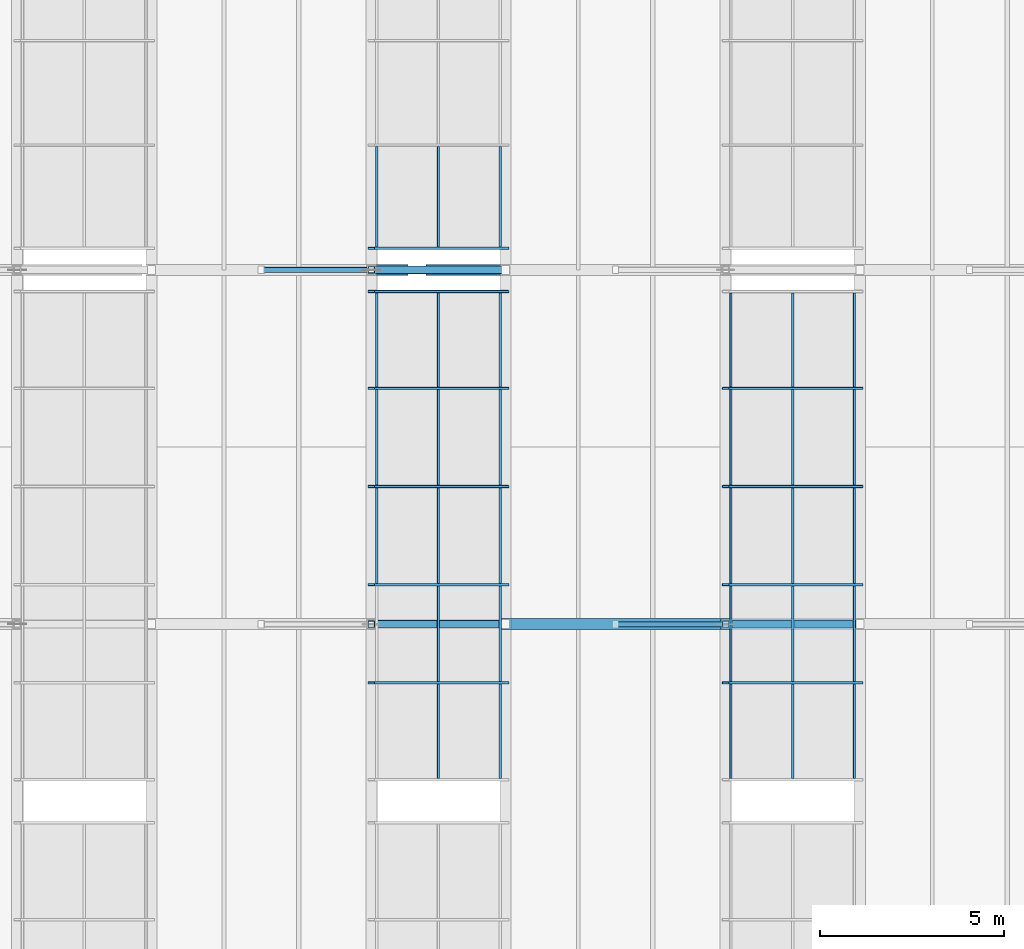
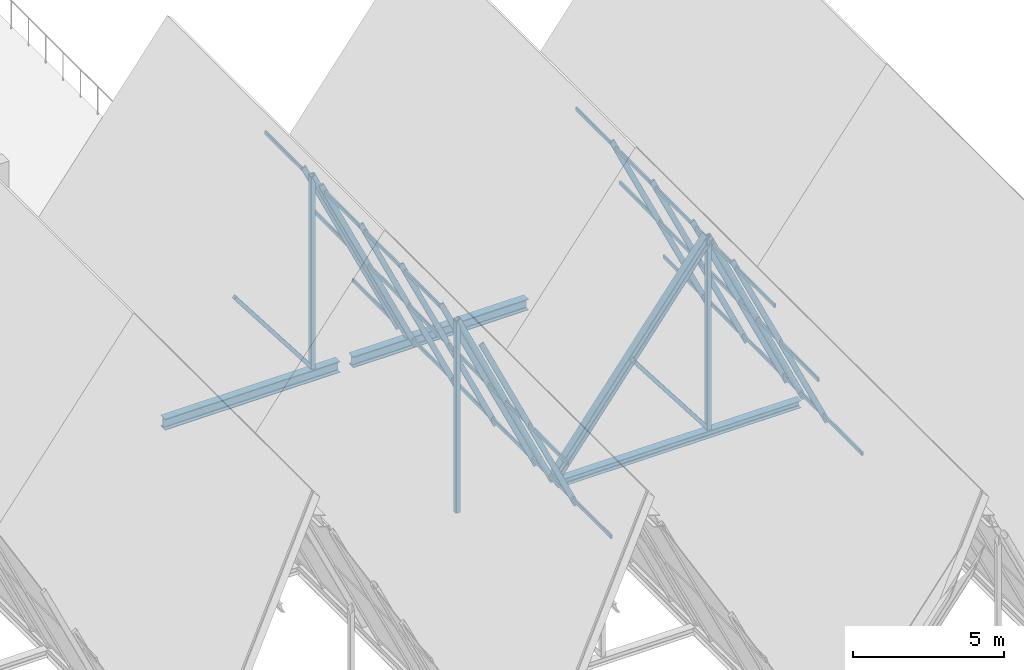
# One storey, part 22 of 99: 51 members, 2 beams, 3 elements without a shape of their own.
"""IFC4 building model written with IfcOpenShell, lengths in metres."""

from ifc_helpers import new_model, si_unit, direction, frame, origin, origin_2d, place, context, subcontext, project, spatial, hollow_rectangle, hollow_circle, i_section, extrude, material, material_profile, profile_set, type_object, element, aggregate, save


model = new_model("IFC4")

# Units and contexts
model_context = context("Model", 3, precision=1e-05, world=origin(), true_north=direction((0.0, 1.0)))
body_context = subcontext(model_context, "Body", "Model", "MODEL_VIEW")
ifc_project = project(units=[si_unit("LENGTHUNIT", "METRE"), si_unit("AREAUNIT", "SQUARE_METRE"), si_unit("VOLUMEUNIT", "CUBIC_METRE"), si_unit("PLANEANGLEUNIT", "RADIAN"), si_unit("MASSUNIT", "GRAM", prefix="KILO")], contexts=[model_context])

# Site, building, storey
site_placement = place(None, origin())
site = spatial("IfcSite", under=ifc_project, at=site_placement, CompositionType="ELEMENT")
building_placement = place(site_placement, origin())
building = spatial("IfcBuilding", under=site, at=building_placement, Name="Bramveld Media Centre", CompositionType="ELEMENT")
storey_placement = place(building_placement, frame((0.0, 0.0, 13.800048828125)))
storey = spatial("IfcBuildingStorey", under=building, at=storey_placement, Name="L03", CompositionType="ELEMENT", Elevation=13.800048828125)

# Curtain wall, members
ifc_material_1 = material(Name="Thermally broken anodized bronze aluminium unitized curtain wall with solar-control triple glazing", Category="aluminium")
curtain_wall_type_1 = type_object("IfcCurtainWallType", Name="CW-SAW-13300x8606", PredefinedType="NOTDEFINED", material=ifc_material_1)
curtain_wall_1_placement = place(storey_placement, origin())
curtain_wall_1 = element("IfcCurtainWall", 1, at=curtain_wall_1_placement, inside=storey, type_object=curtain_wall_type_1, Name="V2 sawtooth north-light clerestory B4-S2", PredefinedType="NOTDEFINED")
ifc_material_2 = material(Name="Thermally broken anodized bronze aluminium EN AW-6063 T6 curtain-wall framing", Category="aluminium")
ifc_material_profile_1 = material_profile(ifc_material_2, hollow_rectangle(XDim=0.070068359375, YDim=0.199951171875, WallThickness=0.00439453125, InnerFilletRadius=0.00439453125, OuterFilletRadius=0.009033203125, at=origin_2d()), Name="AL-MULL 70x200")
ifc_profile_set_1 = profile_set([ifc_material_profile_1], Name="Thermally broken anodized bronze aluminium EN AW-6063 T6 curtain-wall framing")
member_type_1 = type_object("IfcMemberType", Name="CW-MULL-SLP", PredefinedType="MULLION", material=ifc_profile_set_1)
member_1_placement = place(storey_placement, frame((38.39990234375, 17.610107421875, -0.02001953125), z_axis=(-0.423956992265, 0.0, 0.90568232218), x_axis=(0.0, -1.0, 0.0)))
member_1 = element("IfcMember", 2, at=member_1_placement, type_object=member_type_1, Name="CW-SA-13386 sloped mullion 2", PredefinedType="MULLION", context=body_context, shape_type="SweptSolid", body=[
    extrude(hollow_rectangle(XDim=0.070068359375, YDim=0.199951171875, WallThickness=0.00439453125, InnerFilletRadius=0.00439453125, OuterFilletRadius=0.009033203125, at=origin_2d()), origin(), (0.0, 0.0, 1.0), 8.5791015625),
])
member_2_placement = place(storey_placement, frame((38.39990234375, 20.27001953125, -0.02001953125), z_axis=(-0.423956992265, 0.0, 0.90568232218), x_axis=(0.0, -1.0, 0.0)))
member_2 = element("IfcMember", 3, at=member_2_placement, type_object=member_type_1, Name="CW-SA-13386 sloped mullion 3", PredefinedType="MULLION", context=body_context, shape_type="SweptSolid", body=[
    extrude(hollow_rectangle(XDim=0.070068359375, YDim=0.199951171875, WallThickness=0.00439453125, InnerFilletRadius=0.00439453125, OuterFilletRadius=0.009033203125, at=origin_2d()), origin(), (0.0, 0.0, 1.0), 8.5791015625),
])
member_3_placement = place(storey_placement, frame((38.39990234375, 22.929931640625, -0.02001953125), z_axis=(-0.423956992265, 0.0, 0.90568232218), x_axis=(0.0, -1.0, 0.0)))
member_3 = element("IfcMember", 4, at=member_3_placement, type_object=member_type_1, Name="CW-SA-13386 sloped mullion 4", PredefinedType="MULLION", context=body_context, shape_type="SweptSolid", body=[
    extrude(hollow_rectangle(XDim=0.070068359375, YDim=0.199951171875, WallThickness=0.00439453125, InnerFilletRadius=0.00439453125, OuterFilletRadius=0.009033203125, at=origin_2d()), origin(), (0.0, 0.0, 1.0), 8.5791015625),
])
member_4_placement = place(storey_placement, frame((38.39990234375, 25.590087890625, -0.02001953125), z_axis=(-0.423956992265, 0.0, 0.90568232218), x_axis=(0.0, -1.0, 0.0)))
member_4 = element("IfcMember", 5, at=member_4_placement, type_object=member_type_1, Name="CW-SA-13386 sloped mullion 5", PredefinedType="MULLION", context=body_context, shape_type="SweptSolid", body=[
    extrude(hollow_rectangle(XDim=0.070068359375, YDim=0.199951171875, WallThickness=0.00439453125, InnerFilletRadius=0.00439453125, OuterFilletRadius=0.009033203125, at=origin_2d()), origin(), (0.0, 0.0, 1.0), 8.5791015625),
])
member_5_placement = place(storey_placement, frame((38.39990234375, 28.215087890625, -0.02001953125), z_axis=(-0.423956992265, 0.0, 0.90568232218), x_axis=(0.0, -1.0, 0.0)))
member_5 = element("IfcMember", 6, at=member_5_placement, type_object=member_type_1, Name="CW-SA-13386 sloped mullion 6", PredefinedType="MULLION", context=body_context, shape_type="SweptSolid", body=[
    extrude(hollow_rectangle(XDim=0.070068359375, YDim=0.199951171875, WallThickness=0.00439453125, InnerFilletRadius=0.00439453125, OuterFilletRadius=0.009033203125, at=origin_2d()), origin(), (0.0, 0.0, 1.0), 8.5791015625),
])

# Curtain wall, member
ifc_material_3 = material(Name="Thermally broken anodized bronze aluminium unitized curtain wall with solar-control triple glazing", Category="aluminium")
curtain_wall_type_2 = type_object("IfcCurtainWallType", Name="CW-SAW-8500x8606", PredefinedType="NOTDEFINED", material=ifc_material_3)
curtain_wall_2_placement = place(storey_placement, origin())
curtain_wall_2 = element("IfcCurtainWall", 7, at=curtain_wall_2_placement, inside=storey, type_object=curtain_wall_type_2, Name="V2 sawtooth north-light clerestory B4-S3", PredefinedType="NOTDEFINED")
member_6_placement = place(storey_placement, frame((38.39990234375, 29.385009765625, -0.02001953125), z_axis=(-0.423956992265, 0.0, 0.90568232218), x_axis=(0.0, -1.0, 0.0)))
member_6 = element("IfcMember", 8, at=member_6_placement, type_object=member_type_1, Name="CW-SA-8586 sloped mullion 1", PredefinedType="MULLION", context=body_context, shape_type="SweptSolid", body=[
    extrude(hollow_rectangle(XDim=0.070068359375, YDim=0.199951171875, WallThickness=0.00439453125, InnerFilletRadius=0.00439453125, OuterFilletRadius=0.009033203125, at=origin_2d()), origin(), (0.0, 0.0, 1.0), 8.5791015625),
])

# Curtain wall, members
curtain_wall_3_placement = place(storey_placement, origin())
curtain_wall_3 = element("IfcCurtainWall", 9, at=curtain_wall_3_placement, inside=storey, type_object=curtain_wall_type_1, Name="V2 sawtooth north-light clerestory B5-S2", PredefinedType="NOTDEFINED")
member_7_placement = place(storey_placement, frame((48.0, 17.610107421875, -0.02001953125), z_axis=(-0.423956992265, 0.0, 0.90568232218), x_axis=(0.0, -1.0, 0.0)))
member_7 = element("IfcMember", 10, at=member_7_placement, type_object=member_type_1, Name="CW-SA-13386 sloped mullion 2", PredefinedType="MULLION", context=body_context, shape_type="SweptSolid", body=[
    extrude(hollow_rectangle(XDim=0.070068359375, YDim=0.199951171875, WallThickness=0.00439453125, InnerFilletRadius=0.00439453125, OuterFilletRadius=0.009033203125, at=origin_2d()), origin(), (0.0, 0.0, 1.0), 8.5791015625),
])
member_8_placement = place(storey_placement, frame((48.0, 20.27001953125, -0.02001953125), z_axis=(-0.423956992265, 0.0, 0.90568232218), x_axis=(0.0, -1.0, 0.0)))
member_8 = element("IfcMember", 11, at=member_8_placement, type_object=member_type_1, Name="CW-SA-13386 sloped mullion 3", PredefinedType="MULLION", context=body_context, shape_type="SweptSolid", body=[
    extrude(hollow_rectangle(XDim=0.070068359375, YDim=0.199951171875, WallThickness=0.00439453125, InnerFilletRadius=0.00439453125, OuterFilletRadius=0.009033203125, at=origin_2d()), origin(), (0.0, 0.0, 1.0), 8.5791015625),
])
member_9_placement = place(storey_placement, frame((48.0, 22.929931640625, -0.02001953125), z_axis=(-0.423956992265, 0.0, 0.90568232218), x_axis=(0.0, -1.0, 0.0)))
member_9 = element("IfcMember", 12, at=member_9_placement, type_object=member_type_1, Name="CW-SA-13386 sloped mullion 4", PredefinedType="MULLION", context=body_context, shape_type="SweptSolid", body=[
    extrude(hollow_rectangle(XDim=0.070068359375, YDim=0.199951171875, WallThickness=0.00439453125, InnerFilletRadius=0.00439453125, OuterFilletRadius=0.009033203125, at=origin_2d()), origin(), (0.0, 0.0, 1.0), 8.5791015625),
])
member_10_placement = place(storey_placement, frame((48.0, 25.590087890625, -0.02001953125), z_axis=(-0.423956992265, 0.0, 0.90568232218), x_axis=(0.0, -1.0, 0.0)))
member_10 = element("IfcMember", 13, at=member_10_placement, type_object=member_type_1, Name="CW-SA-13386 sloped mullion 5", PredefinedType="MULLION", context=body_context, shape_type="SweptSolid", body=[
    extrude(hollow_rectangle(XDim=0.070068359375, YDim=0.199951171875, WallThickness=0.00439453125, InnerFilletRadius=0.00439453125, OuterFilletRadius=0.009033203125, at=origin_2d()), origin(), (0.0, 0.0, 1.0), 8.5791015625),
])

# Member
ifc_material_4 = material(Name="Thermally broken anodized bronze aluminium EN AW-6063 T6 curtain-wall framing", Category="aluminium")
ifc_material_profile_2 = material_profile(ifc_material_4, hollow_rectangle(XDim=0.070068359375, YDim=0.14990234375, WallThickness=0.00390625, InnerFilletRadius=0.00390625, OuterFilletRadius=0.008056640625, at=origin_2d()), Name="AL-TRAN 70x150")
ifc_profile_set_2 = profile_set([ifc_material_profile_2], Name="Thermally broken anodized bronze aluminium EN AW-6063 T6 curtain-wall framing")
member_type_2 = type_object("IfcMemberType", Name="CW-TRAN-SLP", PredefinedType="USERDEFINED", material=ifc_profile_set_2)
member_11_placement = place(storey_placement, frame((38.25439453125, 15.02001953125, 0.290771484375), z_axis=(0.0, 1.0, 0.0), x_axis=(-1.0, 0.0, 0.0)))
member_11 = element("IfcMember", 14, at=member_11_placement, type_object=member_type_2, Name="CW-SA-13386 transom 1.1", ObjectType="TRANSOM", PredefinedType="USERDEFINED", context=body_context, shape_type="SweptSolid", body=[
    extrude(hollow_rectangle(XDim=0.070068359375, YDim=0.14990234375, WallThickness=0.00390625, InnerFilletRadius=0.00390625, OuterFilletRadius=0.008056640625, at=origin_2d()), origin(), (0.0, 0.0, 1.0), 2.554931640625),
])

member_12_placement = place(storey_placement, frame((36.581298828125, 15.02001953125, 3.864990234375), z_axis=(0.0, 1.0, 0.0), x_axis=(-1.0, 0.0, 0.0)))
member_12 = element("IfcMember", 15, at=member_12_placement, type_object=member_type_2, Name="CW-SA-13386 transom 1.2", ObjectType="TRANSOM", PredefinedType="USERDEFINED", context=body_context, shape_type="SweptSolid", body=[
    extrude(hollow_rectangle(XDim=0.070068359375, YDim=0.14990234375, WallThickness=0.00390625, InnerFilletRadius=0.00390625, OuterFilletRadius=0.008056640625, at=origin_2d()), origin(), (0.0, 0.0, 1.0), 2.554931640625),
])

member_13_placement = place(storey_placement, frame((38.25439453125, 17.64501953125, 0.290771484375), z_axis=(0.0, 1.0, 0.0), x_axis=(-1.0, 0.0, 0.0)))
member_13 = element("IfcMember", 16, at=member_13_placement, type_object=member_type_2, Name="CW-SA-13386 transom 2.1", ObjectType="TRANSOM", PredefinedType="USERDEFINED", context=body_context, shape_type="SweptSolid", body=[
    extrude(hollow_rectangle(XDim=0.070068359375, YDim=0.14990234375, WallThickness=0.00390625, InnerFilletRadius=0.00390625, OuterFilletRadius=0.008056640625, at=origin_2d()), origin(), (0.0, 0.0, 1.0), 2.590087890625),
])

member_14_placement = place(storey_placement, frame((36.581298828125, 17.64501953125, 3.864990234375), z_axis=(0.0, 1.0, 0.0), x_axis=(-1.0, 0.0, 0.0)))
member_14 = element("IfcMember", 17, at=member_14_placement, type_object=member_type_2, Name="CW-SA-13386 transom 2.2", ObjectType="TRANSOM", PredefinedType="USERDEFINED", context=body_context, shape_type="SweptSolid", body=[
    extrude(hollow_rectangle(XDim=0.070068359375, YDim=0.14990234375, WallThickness=0.00390625, InnerFilletRadius=0.00390625, OuterFilletRadius=0.008056640625, at=origin_2d()), origin(), (0.0, 0.0, 1.0), 2.590087890625),
])

member_15_placement = place(storey_placement, frame((38.25439453125, 20.304931640625, 0.290771484375), z_axis=(0.0, 1.0, 0.0), x_axis=(-1.0, 0.0, 0.0)))
member_15 = element("IfcMember", 18, at=member_15_placement, type_object=member_type_2, Name="CW-SA-13386 transom 3.1", ObjectType="TRANSOM", PredefinedType="USERDEFINED", context=body_context, shape_type="SweptSolid", body=[
    extrude(hollow_rectangle(XDim=0.070068359375, YDim=0.14990234375, WallThickness=0.00390625, InnerFilletRadius=0.00390625, OuterFilletRadius=0.008056640625, at=origin_2d()), origin(), (0.0, 0.0, 1.0), 2.590087890625),
])

member_16_placement = place(storey_placement, frame((36.581298828125, 20.304931640625, 3.864990234375), z_axis=(0.0, 1.0, 0.0), x_axis=(-1.0, 0.0, 0.0)))
member_16 = element("IfcMember", 19, at=member_16_placement, type_object=member_type_2, Name="CW-SA-13386 transom 3.2", ObjectType="TRANSOM", PredefinedType="USERDEFINED", context=body_context, shape_type="SweptSolid", body=[
    extrude(hollow_rectangle(XDim=0.070068359375, YDim=0.14990234375, WallThickness=0.00390625, InnerFilletRadius=0.00390625, OuterFilletRadius=0.008056640625, at=origin_2d()), origin(), (0.0, 0.0, 1.0), 2.590087890625),
])

member_17_placement = place(storey_placement, frame((34.908203125, 20.304931640625, 7.439208984375), z_axis=(0.0, 1.0, 0.0), x_axis=(-1.0, 0.0, 0.0)))
member_17 = element("IfcMember", 20, at=member_17_placement, type_object=member_type_2, Name="CW-SA-13386 transom 3.3", ObjectType="TRANSOM", PredefinedType="USERDEFINED", context=body_context, shape_type="SweptSolid", body=[
    extrude(hollow_rectangle(XDim=0.070068359375, YDim=0.14990234375, WallThickness=0.00390625, InnerFilletRadius=0.00390625, OuterFilletRadius=0.008056640625, at=origin_2d()), origin(), (0.0, 0.0, 1.0), 2.590087890625),
])

member_18_placement = place(storey_placement, frame((38.25439453125, 22.965087890625, 0.290771484375), z_axis=(0.0, 1.0, 0.0), x_axis=(-1.0, 0.0, 0.0)))
member_18 = element("IfcMember", 21, at=member_18_placement, type_object=member_type_2, Name="CW-SA-13386 transom 4.1", ObjectType="TRANSOM", PredefinedType="USERDEFINED", context=body_context, shape_type="SweptSolid", body=[
    extrude(hollow_rectangle(XDim=0.070068359375, YDim=0.14990234375, WallThickness=0.00390625, InnerFilletRadius=0.00390625, OuterFilletRadius=0.008056640625, at=origin_2d()), origin(), (0.0, 0.0, 1.0), 2.58984375),
])

member_19_placement = place(storey_placement, frame((36.581298828125, 22.965087890625, 3.864990234375), z_axis=(0.0, 1.0, 0.0), x_axis=(-1.0, 0.0, 0.0)))
member_19 = element("IfcMember", 22, at=member_19_placement, type_object=member_type_2, Name="CW-SA-13386 transom 4.2", ObjectType="TRANSOM", PredefinedType="USERDEFINED", context=body_context, shape_type="SweptSolid", body=[
    extrude(hollow_rectangle(XDim=0.070068359375, YDim=0.14990234375, WallThickness=0.00390625, InnerFilletRadius=0.00390625, OuterFilletRadius=0.008056640625, at=origin_2d()), origin(), (0.0, 0.0, 1.0), 2.58984375),
])

member_20_placement = place(storey_placement, frame((34.908203125, 22.965087890625, 7.439208984375), z_axis=(0.0, 1.0, 0.0), x_axis=(-1.0, 0.0, 0.0)))
member_20 = element("IfcMember", 23, at=member_20_placement, type_object=member_type_2, Name="CW-SA-13386 transom 4.3", ObjectType="TRANSOM", PredefinedType="USERDEFINED", context=body_context, shape_type="SweptSolid", body=[
    extrude(hollow_rectangle(XDim=0.070068359375, YDim=0.14990234375, WallThickness=0.00390625, InnerFilletRadius=0.00390625, OuterFilletRadius=0.008056640625, at=origin_2d()), origin(), (0.0, 0.0, 1.0), 2.58984375),
])

member_21_placement = place(storey_placement, frame((38.25439453125, 25.625, 0.290771484375), z_axis=(0.0, 1.0, 0.0), x_axis=(-1.0, 0.0, 0.0)))
member_21 = element("IfcMember", 24, at=member_21_placement, type_object=member_type_2, Name="CW-SA-13386 transom 5.1", ObjectType="TRANSOM", PredefinedType="USERDEFINED", context=body_context, shape_type="SweptSolid", body=[
    extrude(hollow_rectangle(XDim=0.070068359375, YDim=0.14990234375, WallThickness=0.00390625, InnerFilletRadius=0.00390625, OuterFilletRadius=0.008056640625, at=origin_2d()), origin(), (0.0, 0.0, 1.0), 2.554931640625),
])

member_22_placement = place(storey_placement, frame((36.581298828125, 25.625, 3.864990234375), z_axis=(0.0, 1.0, 0.0), x_axis=(-1.0, 0.0, 0.0)))
member_22 = element("IfcMember", 25, at=member_22_placement, type_object=member_type_2, Name="CW-SA-13386 transom 5.2", ObjectType="TRANSOM", PredefinedType="USERDEFINED", context=body_context, shape_type="SweptSolid", body=[
    extrude(hollow_rectangle(XDim=0.070068359375, YDim=0.14990234375, WallThickness=0.00390625, InnerFilletRadius=0.00390625, OuterFilletRadius=0.008056640625, at=origin_2d()), origin(), (0.0, 0.0, 1.0), 2.554931640625),
])

member_23_placement = place(storey_placement, frame((34.908203125, 25.625, 7.439208984375), z_axis=(0.0, 1.0, 0.0), x_axis=(-1.0, 0.0, 0.0)))
member_23 = element("IfcMember", 26, at=member_23_placement, type_object=member_type_2, Name="CW-SA-13386 transom 5.3", ObjectType="TRANSOM", PredefinedType="USERDEFINED", context=body_context, shape_type="SweptSolid", body=[
    extrude(hollow_rectangle(XDim=0.070068359375, YDim=0.14990234375, WallThickness=0.00390625, InnerFilletRadius=0.00390625, OuterFilletRadius=0.008056640625, at=origin_2d()), origin(), (0.0, 0.0, 1.0), 2.554931640625),
])

aggregate(curtain_wall_1, [member_1, member_2, member_3, member_4, member_5, member_11, member_12, member_13, member_14, member_15, member_16, member_17, member_18, member_19, member_20, member_21, member_22, member_23])

member_24_placement = place(storey_placement, frame((38.25439453125, 29.419921875, 0.290771484375), z_axis=(0.0, 1.0, 0.0), x_axis=(-1.0, 0.0, 0.0)))
member_24 = element("IfcMember", 27, at=member_24_placement, type_object=member_type_2, Name="CW-SA-8586 transom 1.1", ObjectType="TRANSOM", PredefinedType="USERDEFINED", context=body_context, shape_type="SweptSolid", body=[
    extrude(hollow_rectangle(XDim=0.070068359375, YDim=0.14990234375, WallThickness=0.00390625, InnerFilletRadius=0.00390625, OuterFilletRadius=0.008056640625, at=origin_2d()), origin(), (0.0, 0.0, 1.0), 2.728271484375),
])

member_25_placement = place(storey_placement, frame((36.581298828125, 29.419921875, 3.864990234375), z_axis=(0.0, 1.0, 0.0), x_axis=(-1.0, 0.0, 0.0)))
member_25 = element("IfcMember", 28, at=member_25_placement, type_object=member_type_2, Name="CW-SA-8586 transom 1.2", ObjectType="TRANSOM", PredefinedType="USERDEFINED", context=body_context, shape_type="SweptSolid", body=[
    extrude(hollow_rectangle(XDim=0.070068359375, YDim=0.14990234375, WallThickness=0.00390625, InnerFilletRadius=0.00390625, OuterFilletRadius=0.008056640625, at=origin_2d()), origin(), (0.0, 0.0, 1.0), 2.728271484375),
])

member_26_placement = place(storey_placement, frame((34.908203125, 29.419921875, 7.439208984375), z_axis=(0.0, 1.0, 0.0), x_axis=(-1.0, 0.0, 0.0)))
member_26 = element("IfcMember", 29, at=member_26_placement, type_object=member_type_2, Name="CW-SA-8586 transom 1.3", ObjectType="TRANSOM", PredefinedType="USERDEFINED", context=body_context, shape_type="SweptSolid", body=[
    extrude(hollow_rectangle(XDim=0.070068359375, YDim=0.14990234375, WallThickness=0.00390625, InnerFilletRadius=0.00390625, OuterFilletRadius=0.008056640625, at=origin_2d()), origin(), (0.0, 0.0, 1.0), 2.728271484375),
])

aggregate(curtain_wall_2, [member_6, member_24, member_25, member_26])

member_27_placement = place(storey_placement, frame((47.8544921875, 15.02001953125, 0.290771484375), z_axis=(0.0, 1.0, 0.0), x_axis=(-1.0, 0.0, 0.0)))
member_27 = element("IfcMember", 30, at=member_27_placement, type_object=member_type_2, Name="CW-SA-13386 transom 1.1", ObjectType="TRANSOM", PredefinedType="USERDEFINED", context=body_context, shape_type="SweptSolid", body=[
    extrude(hollow_rectangle(XDim=0.070068359375, YDim=0.14990234375, WallThickness=0.00390625, InnerFilletRadius=0.00390625, OuterFilletRadius=0.008056640625, at=origin_2d()), origin(), (0.0, 0.0, 1.0), 2.554931640625),
])

member_28_placement = place(storey_placement, frame((46.181396484375, 15.02001953125, 3.864990234375), z_axis=(0.0, 1.0, 0.0), x_axis=(-1.0, 0.0, 0.0)))
member_28 = element("IfcMember", 31, at=member_28_placement, type_object=member_type_2, Name="CW-SA-13386 transom 1.2", ObjectType="TRANSOM", PredefinedType="USERDEFINED", context=body_context, shape_type="SweptSolid", body=[
    extrude(hollow_rectangle(XDim=0.070068359375, YDim=0.14990234375, WallThickness=0.00390625, InnerFilletRadius=0.00390625, OuterFilletRadius=0.008056640625, at=origin_2d()), origin(), (0.0, 0.0, 1.0), 2.554931640625),
])

member_29_placement = place(storey_placement, frame((44.50830078125, 15.02001953125, 7.439208984375), z_axis=(0.0, 1.0, 0.0), x_axis=(-1.0, 0.0, 0.0)))
member_29 = element("IfcMember", 32, at=member_29_placement, type_object=member_type_2, Name="CW-SA-13386 transom 1.3", ObjectType="TRANSOM", PredefinedType="USERDEFINED", context=body_context, shape_type="SweptSolid", body=[
    extrude(hollow_rectangle(XDim=0.070068359375, YDim=0.14990234375, WallThickness=0.00390625, InnerFilletRadius=0.00390625, OuterFilletRadius=0.008056640625, at=origin_2d()), origin(), (0.0, 0.0, 1.0), 2.554931640625),
])

member_30_placement = place(storey_placement, frame((47.8544921875, 17.64501953125, 0.290771484375), z_axis=(0.0, 1.0, 0.0), x_axis=(-1.0, 0.0, 0.0)))
member_30 = element("IfcMember", 33, at=member_30_placement, type_object=member_type_2, Name="CW-SA-13386 transom 2.1", ObjectType="TRANSOM", PredefinedType="USERDEFINED", context=body_context, shape_type="SweptSolid", body=[
    extrude(hollow_rectangle(XDim=0.070068359375, YDim=0.14990234375, WallThickness=0.00390625, InnerFilletRadius=0.00390625, OuterFilletRadius=0.008056640625, at=origin_2d()), origin(), (0.0, 0.0, 1.0), 2.590087890625),
])

member_31_placement = place(storey_placement, frame((46.181396484375, 17.64501953125, 3.864990234375), z_axis=(0.0, 1.0, 0.0), x_axis=(-1.0, 0.0, 0.0)))
member_31 = element("IfcMember", 34, at=member_31_placement, type_object=member_type_2, Name="CW-SA-13386 transom 2.2", ObjectType="TRANSOM", PredefinedType="USERDEFINED", context=body_context, shape_type="SweptSolid", body=[
    extrude(hollow_rectangle(XDim=0.070068359375, YDim=0.14990234375, WallThickness=0.00390625, InnerFilletRadius=0.00390625, OuterFilletRadius=0.008056640625, at=origin_2d()), origin(), (0.0, 0.0, 1.0), 2.590087890625),
])

member_32_placement = place(storey_placement, frame((44.50830078125, 17.64501953125, 7.439208984375), z_axis=(0.0, 1.0, 0.0), x_axis=(-1.0, 0.0, 0.0)))
member_32 = element("IfcMember", 35, at=member_32_placement, type_object=member_type_2, Name="CW-SA-13386 transom 2.3", ObjectType="TRANSOM", PredefinedType="USERDEFINED", context=body_context, shape_type="SweptSolid", body=[
    extrude(hollow_rectangle(XDim=0.070068359375, YDim=0.14990234375, WallThickness=0.00390625, InnerFilletRadius=0.00390625, OuterFilletRadius=0.008056640625, at=origin_2d()), origin(), (0.0, 0.0, 1.0), 2.590087890625),
])

member_33_placement = place(storey_placement, frame((47.8544921875, 20.304931640625, 0.290771484375), z_axis=(0.0, 1.0, 0.0), x_axis=(-1.0, 0.0, 0.0)))
member_33 = element("IfcMember", 36, at=member_33_placement, type_object=member_type_2, Name="CW-SA-13386 transom 3.1", ObjectType="TRANSOM", PredefinedType="USERDEFINED", context=body_context, shape_type="SweptSolid", body=[
    extrude(hollow_rectangle(XDim=0.070068359375, YDim=0.14990234375, WallThickness=0.00390625, InnerFilletRadius=0.00390625, OuterFilletRadius=0.008056640625, at=origin_2d()), origin(), (0.0, 0.0, 1.0), 2.590087890625),
])

member_34_placement = place(storey_placement, frame((46.181396484375, 20.304931640625, 3.864990234375), z_axis=(0.0, 1.0, 0.0), x_axis=(-1.0, 0.0, 0.0)))
member_34 = element("IfcMember", 37, at=member_34_placement, type_object=member_type_2, Name="CW-SA-13386 transom 3.2", ObjectType="TRANSOM", PredefinedType="USERDEFINED", context=body_context, shape_type="SweptSolid", body=[
    extrude(hollow_rectangle(XDim=0.070068359375, YDim=0.14990234375, WallThickness=0.00390625, InnerFilletRadius=0.00390625, OuterFilletRadius=0.008056640625, at=origin_2d()), origin(), (0.0, 0.0, 1.0), 2.590087890625),
])

member_35_placement = place(storey_placement, frame((44.50830078125, 20.304931640625, 7.439208984375), z_axis=(0.0, 1.0, 0.0), x_axis=(-1.0, 0.0, 0.0)))
member_35 = element("IfcMember", 38, at=member_35_placement, type_object=member_type_2, Name="CW-SA-13386 transom 3.3", ObjectType="TRANSOM", PredefinedType="USERDEFINED", context=body_context, shape_type="SweptSolid", body=[
    extrude(hollow_rectangle(XDim=0.070068359375, YDim=0.14990234375, WallThickness=0.00390625, InnerFilletRadius=0.00390625, OuterFilletRadius=0.008056640625, at=origin_2d()), origin(), (0.0, 0.0, 1.0), 2.590087890625),
])

member_36_placement = place(storey_placement, frame((47.8544921875, 22.965087890625, 0.290771484375), z_axis=(0.0, 1.0, 0.0), x_axis=(-1.0, 0.0, 0.0)))
member_36 = element("IfcMember", 39, at=member_36_placement, type_object=member_type_2, Name="CW-SA-13386 transom 4.1", ObjectType="TRANSOM", PredefinedType="USERDEFINED", context=body_context, shape_type="SweptSolid", body=[
    extrude(hollow_rectangle(XDim=0.070068359375, YDim=0.14990234375, WallThickness=0.00390625, InnerFilletRadius=0.00390625, OuterFilletRadius=0.008056640625, at=origin_2d()), origin(), (0.0, 0.0, 1.0), 2.58984375),
])

member_37_placement = place(storey_placement, frame((46.181396484375, 22.965087890625, 3.864990234375), z_axis=(0.0, 1.0, 0.0), x_axis=(-1.0, 0.0, 0.0)))
member_37 = element("IfcMember", 40, at=member_37_placement, type_object=member_type_2, Name="CW-SA-13386 transom 4.2", ObjectType="TRANSOM", PredefinedType="USERDEFINED", context=body_context, shape_type="SweptSolid", body=[
    extrude(hollow_rectangle(XDim=0.070068359375, YDim=0.14990234375, WallThickness=0.00390625, InnerFilletRadius=0.00390625, OuterFilletRadius=0.008056640625, at=origin_2d()), origin(), (0.0, 0.0, 1.0), 2.58984375),
])

member_38_placement = place(storey_placement, frame((44.50830078125, 22.965087890625, 7.439208984375), z_axis=(0.0, 1.0, 0.0), x_axis=(-1.0, 0.0, 0.0)))
member_38 = element("IfcMember", 41, at=member_38_placement, type_object=member_type_2, Name="CW-SA-13386 transom 4.3", ObjectType="TRANSOM", PredefinedType="USERDEFINED", context=body_context, shape_type="SweptSolid", body=[
    extrude(hollow_rectangle(XDim=0.070068359375, YDim=0.14990234375, WallThickness=0.00390625, InnerFilletRadius=0.00390625, OuterFilletRadius=0.008056640625, at=origin_2d()), origin(), (0.0, 0.0, 1.0), 2.58984375),
])

member_39_placement = place(storey_placement, frame((47.8544921875, 25.625, 0.290771484375), z_axis=(0.0, 1.0, 0.0), x_axis=(-1.0, 0.0, 0.0)))
member_39 = element("IfcMember", 42, at=member_39_placement, type_object=member_type_2, Name="CW-SA-13386 transom 5.1", ObjectType="TRANSOM", PredefinedType="USERDEFINED", context=body_context, shape_type="SweptSolid", body=[
    extrude(hollow_rectangle(XDim=0.070068359375, YDim=0.14990234375, WallThickness=0.00390625, InnerFilletRadius=0.00390625, OuterFilletRadius=0.008056640625, at=origin_2d()), origin(), (0.0, 0.0, 1.0), 2.554931640625),
])

member_40_placement = place(storey_placement, frame((46.181396484375, 25.625, 3.864990234375), z_axis=(0.0, 1.0, 0.0), x_axis=(-1.0, 0.0, 0.0)))
member_40 = element("IfcMember", 43, at=member_40_placement, type_object=member_type_2, Name="CW-SA-13386 transom 5.2", ObjectType="TRANSOM", PredefinedType="USERDEFINED", context=body_context, shape_type="SweptSolid", body=[
    extrude(hollow_rectangle(XDim=0.070068359375, YDim=0.14990234375, WallThickness=0.00390625, InnerFilletRadius=0.00390625, OuterFilletRadius=0.008056640625, at=origin_2d()), origin(), (0.0, 0.0, 1.0), 2.554931640625),
])

member_41_placement = place(storey_placement, frame((44.50830078125, 25.625, 7.439208984375), z_axis=(0.0, 1.0, 0.0), x_axis=(-1.0, 0.0, 0.0)))
member_41 = element("IfcMember", 44, at=member_41_placement, type_object=member_type_2, Name="CW-SA-13386 transom 5.3", ObjectType="TRANSOM", PredefinedType="USERDEFINED", context=body_context, shape_type="SweptSolid", body=[
    extrude(hollow_rectangle(XDim=0.070068359375, YDim=0.14990234375, WallThickness=0.00390625, InnerFilletRadius=0.00390625, OuterFilletRadius=0.008056640625, at=origin_2d()), origin(), (0.0, 0.0, 1.0), 2.554931640625),
])

aggregate(curtain_wall_3, [member_7, member_8, member_9, member_10, member_27, member_28, member_29, member_30, member_31, member_32, member_33, member_34, member_35, member_36, member_37, member_38, member_39, member_40, member_41])

# Members
ifc_material_5 = material(Name="Steel S355J2H", Category="steel")
ifc_material_profile_3 = material_profile(ifc_material_5, hollow_circle(Radius=0.109619140625, WallThickness=0.012451171875, at=origin_2d()), Name="CHS 219.1x12.5")
ifc_profile_set_3 = profile_set([ifc_material_profile_3], Name="Steel S355J2H")
member_type_3 = type_object("IfcMemberType", Name="MEM-BRACE-CHS219", PredefinedType="BRACE", material=ifc_profile_set_3)
for number, where, z_axis, x_axis, name in (
    (45, (38.39990234375, 19.199951171875, 0.0), (-0.422616785161, 0.0, 0.906308475575), (0.0, -1.0, 0.0), "TRUSS-V2-B04-F3 north-light strut"),
    (46, (38.39990234375, 28.800048828125, 0.0), (-0.422616785161, 0.0, 0.906308475575), (0.0, -1.0, 0.0), "TRUSS-V2-B04-F4 north-light strut"),
    (47, (48.0, 19.199951171875, 0.0), (-0.422616785161, 0.0, 0.906308475575), (0.0, -1.0, 0.0), "TRUSS-V2-B05-F3 north-light strut"),
):
    element("IfcMember", number, at=place(storey_placement, frame(where, z_axis=z_axis, x_axis=x_axis)), inside=storey, type_object=member_type_3, Name=name, PredefinedType="BRACE", context=body_context, shape_type="SweptSolid", body=[
        extrude(hollow_circle(Radius=0.109619140625, WallThickness=0.012451171875, at=origin_2d()), origin(), (0.0, 0.0, 1.0), 8.6064453125),
    ])
ifc_material_6 = material(Name="Steel S355J2H", Category="steel")
ifc_material_profile_4 = material_profile(ifc_material_6, hollow_rectangle(XDim=0.14990234375, YDim=0.14990234375, WallThickness=0.010009765625, InnerFilletRadius=0.010009765625, OuterFilletRadius=0.02001953125, at=origin_2d()), Name="SHS 150x150x10")
ifc_profile_set_4 = profile_set([ifc_material_profile_4], Name="Steel S355J2H")
member_type_4 = type_object("IfcMemberType", Name="MEM-BRACE-SHS150", PredefinedType="BRACE", material=ifc_profile_set_4)
for number, where, z_axis, x_axis, name in (
    (48, (34.7626953125, 28.800048828125, 0.0), (-0.607311644479, 0.0, 0.794463697396), (0.0, -1.0, 0.0), "TRUSS-V2-B04-F4 web diagonal"),
    (49, (44.36279296875, 19.199951171875, 0.0), (-0.607343034298, 0.0, 0.794439701104), (0.0, -1.0, 0.0), "TRUSS-V2-B05-F3 web diagonal"),
):
    element("IfcMember", number, at=place(storey_placement, frame(where, z_axis=z_axis, x_axis=x_axis)), inside=storey, type_object=member_type_4, Name=name, PredefinedType="BRACE", context=body_context, shape_type="SweptSolid", body=[
        extrude(hollow_rectangle(XDim=0.14990234375, YDim=0.14990234375, WallThickness=0.010009765625, InnerFilletRadius=0.010009765625, OuterFilletRadius=0.02001953125, at=origin_2d()), origin(), (0.0, 0.0, 1.0), 4.908935546875),
    ])
ifc_material_7 = material(Name="Steel S355J2", Category="steel")
ifc_material_profile_5 = material_profile(ifc_material_7, i_section(OverallWidth=0.300048828125, OverallDepth=0.2900390625, WebThickness=0.008544921875, FlangeThickness=0.013916015625, FilletRadius=0.027099609375, at=origin_2d()), Name="HEA 300")
ifc_profile_set_5 = profile_set([ifc_material_profile_5], Name="Steel S355J2")
member_type_5 = type_object("IfcMemberType", Name="MEM-CHORD-HEA300", PredefinedType="CHORD", material=ifc_profile_set_5)
member_42_placement = place(storey_placement, frame((38.56005859375, 19.199951171875, -0.14501953125), z_axis=(1.0, 0.0, 0.0), x_axis=(0.0, 1.0, 0.0)))
element("IfcMember", 50, at=member_42_placement, inside=storey, type_object=member_type_5, Name="TRUSS-V2-B05-F3 bottom tie chord", PredefinedType="CHORD", context=body_context, shape_type="SweptSolid", body=[
    extrude(i_section(OverallWidth=0.300048828125, OverallDepth=0.2900390625, WebThickness=0.008544921875, FlangeThickness=0.013916015625, FilletRadius=0.027099609375, at=origin_2d()), origin(), (0.0, 0.0, 1.0), 9.280029296875),
])
ifc_material_8 = material(Name="Steel S355J2", Category="steel")
ifc_material_profile_6 = material_profile(ifc_material_8, i_section(OverallWidth=0.300048828125, OverallDepth=0.340087890625, WebThickness=0.011962890625, FlangeThickness=0.021484375, FilletRadius=0.027099609375, at=origin_2d()), Name="HEB 340")
ifc_profile_set_6 = profile_set([ifc_material_profile_6], Name="Steel S355J2")
member_type_6 = type_object("IfcMemberType", Name="MEM-CHORD-HEB340", PredefinedType="CHORD", material=ifc_profile_set_6)
member_43_placement = place(storey_placement, frame((38.39990234375, 19.199951171875, 0.0), z_axis=(0.607331036372, 0.0, 0.794448873282), x_axis=(0.0, 1.0, 0.0)))
element("IfcMember", 51, at=member_43_placement, inside=storey, type_object=member_type_6, Name="TRUSS-V2-B05-F3 top rafter chord", PredefinedType="CHORD", context=body_context, shape_type="SweptSolid", body=[
    extrude(i_section(OverallWidth=0.300048828125, OverallDepth=0.340087890625, WebThickness=0.011962890625, FlangeThickness=0.021484375, FilletRadius=0.027099609375, at=origin_2d()), origin(), (0.0, 0.0, 1.0), 9.818115234375),
])
ifc_material_9 = material(Name="Steel S355J2H", Category="steel")
ifc_material_profile_7 = material_profile(ifc_material_9, hollow_rectangle(XDim=0.179931640625, YDim=0.179931640625, WallThickness=0.010009765625, InnerFilletRadius=0.010009765625, OuterFilletRadius=0.02001953125, at=origin_2d()), Name="SHS 180x180x10")
ifc_profile_set_7 = profile_set([ifc_material_profile_7], Name="Steel S355J2H")
member_type_7 = type_object("IfcMemberType", Name="MEM-POST-SHS180", PredefinedType="POST", material=ifc_profile_set_7)
for number, where, z_axis, x_axis, name in (
    (52, (34.7626953125, 19.199951171875, 0.0), (0.0, 0.0, 1.0), (1.0, 0.0, 0.0), "TRUSS-V2-B04-F3 kingpost"),
    (53, (34.7626953125, 28.800048828125, 0.0), (0.0, 0.0, 1.0), (1.0, 0.0, 0.0), "TRUSS-V2-B04-F4 kingpost"),
    (54, (44.36279296875, 19.199951171875, 0.0), (0.0, 0.0, 1.0), (1.0, 0.0, 0.0), "TRUSS-V2-B05-F3 kingpost"),
):
    element("IfcMember", number, at=place(storey_placement, frame(where, z_axis=z_axis, x_axis=x_axis)), inside=storey, type_object=member_type_7, Name=name, PredefinedType="POST", context=body_context, shape_type="SweptSolid", body=[
        extrude(hollow_rectangle(XDim=0.179931640625, YDim=0.179931640625, WallThickness=0.010009765625, InnerFilletRadius=0.010009765625, OuterFilletRadius=0.02001953125, at=origin_2d()), origin(), (0.0, 0.0, 1.0), 7.800048828125),
    ])

# Beams
ifc_material_10 = material(Name="Steel S355J2", Category="steel")
ifc_material_profile_8 = material_profile(ifc_material_10, i_section(OverallWidth=0.300048828125, OverallDepth=0.449951171875, WebThickness=0.013916015625, FlangeThickness=0.02587890625, FilletRadius=0.027099609375, at=origin_2d()), Name="HEB 450")
ifc_profile_set_8 = profile_set([ifc_material_profile_8], Name="Steel S355J2")
beam_type = type_object("IfcBeamType", Name="SBM-INT-HEB-450", PredefinedType="BEAM", material=ifc_profile_set_8)
for number, where, z_axis, x_axis, name in (
    (55, (29.050048828125, 28.800048828125, -0.22509765625), (1.0, 0.0, 0.0), (0.0, 1.0, 0.0), "V2 sawtooth tie girder"),
    (56, (36.25, 28.800048828125, -0.22509765625), (1.0, 0.0, 0.0), (0.0, 1.0, 0.0), "V2 sawtooth tie girder"),
):
    element("IfcBeam", number, at=place(storey_placement, frame(where, z_axis=z_axis, x_axis=x_axis)), inside=storey, type_object=beam_type, Name=name, PredefinedType="BEAM", context=body_context, shape_type="SweptSolid", body=[
        extrude(i_section(OverallWidth=0.300048828125, OverallDepth=0.449951171875, WebThickness=0.013916015625, FlangeThickness=0.02587890625, FilletRadius=0.027099609375, at=origin_2d()), origin(), (0.0, 0.0, 1.0), 6.699951171875),
    ])

save(model, "model.ifc")
